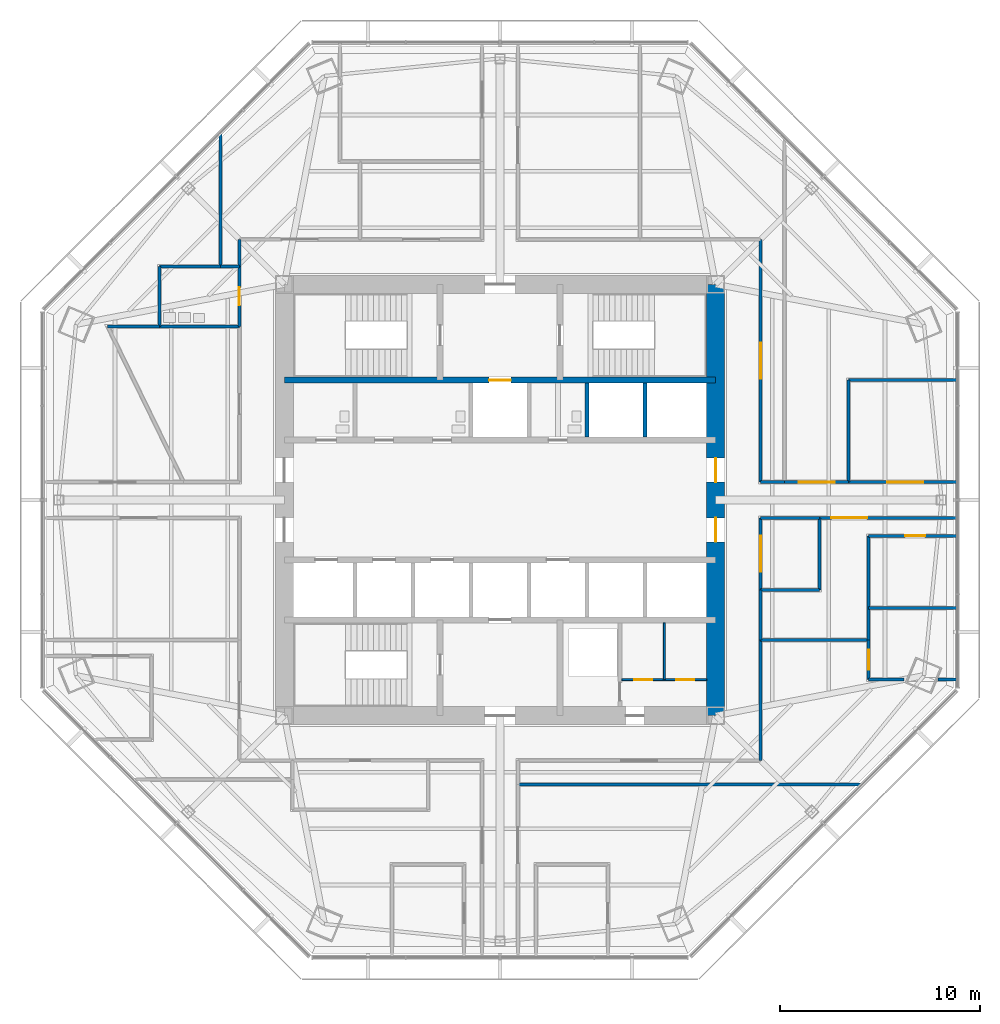
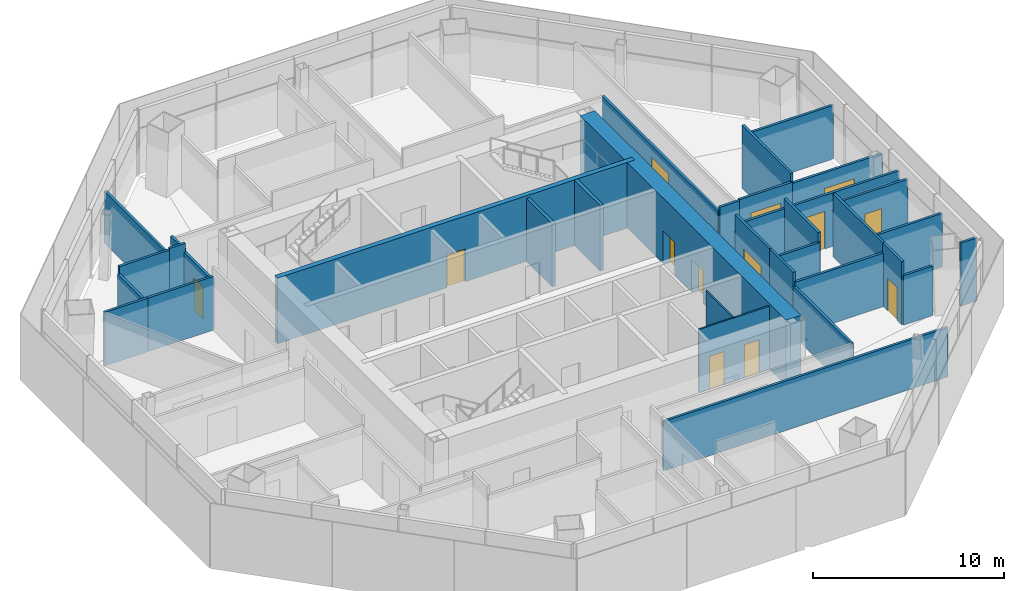
# One storey, part 10 of 14: 35 walls, 13 doors, 13 openings.
"""IFC4 building model written with IfcOpenShell, lengths in metres."""

from ifc_helpers import new_model, si_unit, direction, frame, frame_2d, origin, place, context, subcontext, project, spatial, rectangle, extrude, material, layer, layer_set, type_object, element, fill, save


model = new_model("IFC4")

# Units and contexts
model_context = context("Model", 3, precision=1e-05, world=origin(), true_north=direction((0.0, 1.0)))
body_context = subcontext(model_context, "Body", "Model", "MODEL_VIEW")
ifc_project = project(units=[si_unit("LENGTHUNIT", "METRE"), si_unit("AREAUNIT", "SQUARE_METRE"), si_unit("VOLUMEUNIT", "CUBIC_METRE"), si_unit("PLANEANGLEUNIT", "RADIAN"), si_unit("MASSUNIT", "GRAM", prefix="KILO")], contexts=[model_context])

# Site, building, storey
site_placement = place(None, origin())
site = spatial("IfcSite", under=ifc_project, at=site_placement, CompositionType="ELEMENT")
building_placement = place(site_placement, origin())
building = spatial("IfcBuilding", under=site, at=building_placement, Name="Mashrafa Tower", CompositionType="ELEMENT")
storey_placement = place(building_placement, frame((0.0, 0.0, 180.60009765625)))
storey = spatial("IfcBuildingStorey", under=building, at=storey_placement, Name="L41", CompositionType="ELEMENT", Elevation=180.60009765625)

# Wall, opening, door
ifc_material_1 = material(Name="Concrete C60/75", Category="concrete")
ifc_layer_1 = layer(ifc_material_1, 0.300048828125)
ifc_layer_set_1 = layer_set([ifc_layer_1], Name="Core wall 300 C60/75")
wall_type_1 = type_object("IfcWallType", Name="Core wall 300 C60/75", PredefinedType="SOLIDWALL", material=ifc_layer_set_1)
wall_1_placement = place(storey_placement, frame((-10.800048828125, 6.0, 0.0), z_axis=(0.0, 0.0, 1.0), x_axis=(1.0, 0.0, 0.0)))
wall_1 = element("IfcWall", 1, at=wall_1_placement, inside=storey, type_object=wall_type_1, Name="Core wall CB-N L41", PredefinedType="SOLIDWALL", context=body_context, shape_type="SweptSolid", body=[
    extrude(rectangle(XDim=21.60009765625, YDim=0.300048828125, at=frame_2d((10.800048828125, 0.0))), origin(), (0.0, 0.0, 1.0), 4.199951171875),
])
opening_1_placement = place(wall_1_placement, frame((10.25, 0.0, 0.0)))
opening_1 = element("IfcOpeningElement", 2, at=opening_1_placement, cuts=wall_1, Name="Opening 41.F1", PredefinedType="OPENING", context=body_context, shape_type="SweptSolid", body=[
    extrude(rectangle(XDim=1.10009765625, YDim=2.10009765625, at=frame_2d((0.550048828125, 1.050048828125))), frame((0.0, 0.159912109375, 0.0), z_axis=(0.0, -1.0, 0.0), x_axis=(1.0, 0.0, 0.0)), (0.0, 0.0, 1.0), 0.320068359375),
])
ifc_material_2 = material(Name="Steel door", Category="steel")
door_type_1 = type_object("IfcDoorType", Name="Lift landing door 1100 x 2100 90 min", OperationType="DOUBLE_DOOR_SLIDING", PredefinedType="DOOR", material=ifc_material_2)
door_1_placement = place(opening_1_placement, origin())
door_1 = element("IfcDoor", 3, at=door_1_placement, inside=storey, type_object=door_type_1, Name="Lift landing door F1 L41", OperationType="DOUBLE_DOOR_SLIDING", OverallHeight=2.10009765625, OverallWidth=1.10009765625, PredefinedType="DOOR", context=body_context, shape_type="SweptSolid", body=[
    extrude(rectangle(XDim=1.10009765625, YDim=2.10009765625, at=frame_2d((0.550048828125, 1.050048828125))), frame((0.0, 0.02490234375, 0.0), z_axis=(0.0, -1.0, 0.0), x_axis=(1.0, 0.0, 0.0)), (0.0, 0.0, 1.0), 0.050048828125),
])
fill(opening_1, door_1)

# Wall, openings, doors
ifc_material_3 = material(Name="Concrete C60/75", Category="concrete")
ifc_layer_2 = layer(ifc_material_3, 0.89990234375)
ifc_layer_set_2 = layer_set([ifc_layer_2], Name="Core wall 900 C60/75")
wall_type_2 = type_object("IfcWallType", Name="Core wall 900 C60/75", PredefinedType="SOLIDWALL", material=ifc_layer_set_2)
wall_2_placement = place(storey_placement, frame((10.800048828125, -10.800048828125, 0.0), z_axis=(0.0, 0.0, 1.0), x_axis=(0.0, 1.0, 0.0)))
wall_2 = element("IfcWall", 4, at=wall_2_placement, inside=storey, type_object=wall_type_2, Name="Core wall CW-E L41", PredefinedType="SOLIDWALL", context=body_context, shape_type="SweptSolid", body=[
    extrude(rectangle(XDim=21.60009765625, YDim=0.89990234375, at=frame_2d((10.800048828125, 0.0))), origin(), (0.0, 0.0, 1.0), 4.199951171875),
])
opening_2_placement = place(wall_2_placement, frame((11.699951171875, 0.0, 0.0)))
opening_2 = element("IfcOpeningElement", 5, at=opening_2_placement, cuts=wall_2, Name="Opening 41.024", PredefinedType="OPENING", context=body_context, shape_type="SweptSolid", body=[
    extrude(rectangle(XDim=1.199951171875, YDim=2.10009765625, at=frame_2d((0.60009765625, 1.050048828125))), frame((0.0, 0.4599609375, 0.0), z_axis=(0.0, -1.0, 0.0), x_axis=(1.0, 0.0, 0.0)), (0.0, 0.0, 1.0), 0.919921875),
])
opening_3_placement = place(wall_2_placement, frame((8.699951171875, 0.0, 0.0)))
opening_3 = element("IfcOpeningElement", 6, at=opening_3_placement, cuts=wall_2, Name="Opening 41.026", PredefinedType="OPENING", context=body_context, shape_type="SweptSolid", body=[
    extrude(rectangle(XDim=1.199951171875, YDim=2.10009765625, at=frame_2d((0.60009765625, 1.050048828125))), frame((0.0, 0.4599609375, 0.0), z_axis=(0.0, -1.0, 0.0), x_axis=(1.0, 0.0, 0.0)), (0.0, 0.0, 1.0), 0.919921875),
])
ifc_material_4 = material(Name="Steel door", Category="steel")
door_type_2 = type_object("IfcDoorType", Name="Lift hall door 1200 x 2100 90 min", OperationType="USERDEFINED", PredefinedType="DOOR", material=ifc_material_4)
door_2_placement = place(opening_2_placement, frame((1.199951171875, 0.0, 0.0), z_axis=(0.0, 0.0, 1.0), x_axis=(-1.0, 0.0, 0.0)))
door_2 = element("IfcDoor", 7, at=door_2_placement, inside=storey, type_object=door_type_2, Name="Lift hall door east L41", OperationType="SINGLE_SWING_LEFT", OverallHeight=2.10009765625, OverallWidth=1.199951171875, PredefinedType="DOOR", context=body_context, shape_type="SweptSolid", body=[
    extrude(rectangle(XDim=1.199951171875, YDim=2.10009765625, at=frame_2d((0.60009765625, 1.050048828125))), frame((0.0, 0.02490234375, 0.0), z_axis=(0.0, -1.0, 0.0), x_axis=(1.0, 0.0, 0.0)), (0.0, 0.0, 1.0), 0.050048828125),
])
fill(opening_2, door_2)
door_3_placement = place(opening_3_placement, frame((1.199951171875, 0.0, 0.0), z_axis=(0.0, 0.0, 1.0), x_axis=(-1.0, 0.0, 0.0)))
door_3 = element("IfcDoor", 8, at=door_3_placement, inside=storey, type_object=door_type_2, Name="Lift hall door east L41", OperationType="SINGLE_SWING_LEFT", OverallHeight=2.10009765625, OverallWidth=1.199951171875, PredefinedType="DOOR", context=body_context, shape_type="SweptSolid", body=[
    extrude(rectangle(XDim=1.199951171875, YDim=2.10009765625, at=frame_2d((0.60009765625, 1.050048828125))), frame((0.0, 0.02490234375, 0.0), z_axis=(0.0, -1.0, 0.0), x_axis=(1.0, 0.0, 0.0)), (0.0, 0.0, 1.0), 0.050048828125),
])
fill(opening_3, door_3)

# Wall, opening, door
ifc_material_5 = material(Name="Gypsum board on steel studs", Category="steel")
ifc_layer_3 = layer(ifc_material_5, 0.14990234375)
ifc_layer_set_3 = layer_set([ifc_layer_3], Name="Corridor partition 150 1 hr")
wall_type_3 = type_object("IfcWallType", Name="Corridor partition 150 1 hr", PredefinedType="PARTITIONING", material=ifc_layer_set_3)
wall_3_placement = place(storey_placement, frame((-13.050048828125, 11.700927734375, 0.0), z_axis=(0.0, 0.0, 1.0), x_axis=(0.0, -1.0, 0.0)))
wall_3 = element("IfcWall", 9, at=wall_3_placement, inside=storey, type_object=wall_type_3, Name="Corridor wall L41-003", PredefinedType="PARTITIONING", context=body_context, shape_type="SweptSolid", body=[
    extrude(rectangle(XDim=3.001953125, YDim=0.14990234375, at=frame_2d((1.5009765625, 0.0))), origin(), (0.0, 0.0, 1.0), 3.16650390625),
])
opening_4_placement = place(wall_3_placement, frame((1.051025390625, 0.0, 0.0)))
opening_4 = element("IfcOpeningElement", 10, at=opening_4_placement, cuts=wall_3, Name="Opening 41.002", PredefinedType="OPENING", context=body_context, shape_type="SweptSolid", body=[
    extrude(rectangle(XDim=0.89990234375, YDim=2.10009765625, at=frame_2d((0.449951171875, 1.050048828125))), frame((0.0, 0.0849609375, 0.0), z_axis=(0.0, -1.0, 0.0), x_axis=(1.0, 0.0, 0.0)), (0.0, 0.0, 1.0), 0.169921875),
])
ifc_material_6 = material(Name="Timber door", Category="wood")
door_type_3 = type_object("IfcDoorType", Name="Toilet door 900 x 2100", OperationType="USERDEFINED", PredefinedType="DOOR", material=ifc_material_6)
door_4_placement = place(opening_4_placement, frame((0.89990234375, 0.0, 0.0), z_axis=(0.0, 0.0, 1.0), x_axis=(-1.0, 0.0, 0.0)))
door_4 = element("IfcDoor", 11, at=door_4_placement, inside=storey, type_object=door_type_3, Name="Ablution Room L41 door", OperationType="SINGLE_SWING_RIGHT", OverallHeight=2.10009765625, OverallWidth=0.89990234375, PredefinedType="DOOR", context=body_context, shape_type="SweptSolid", body=[
    extrude(rectangle(XDim=0.89990234375, YDim=2.10009765625, at=frame_2d((0.449951171875, 1.050048828125))), frame((0.0, 0.02490234375, 0.0), z_axis=(0.0, -1.0, 0.0), x_axis=(1.0, 0.0, 0.0)), (0.0, 0.0, 1.0), 0.050048828125),
])
fill(opening_4, door_4)

wall_4_placement = place(storey_placement, frame((22.889892578125, 0.89990234375, 0.0), z_axis=(0.0, 0.0, 1.0), x_axis=(-1.0, 0.0, 0.0)))
wall_4 = element("IfcWall", 12, at=wall_4_placement, inside=storey, type_object=wall_type_3, Name="Corridor wall L41-005", PredefinedType="PARTITIONING", context=body_context, shape_type="SweptSolid", body=[
    extrude(rectangle(XDim=5.43505859375, YDim=0.14990234375, at=frame_2d((2.717529296875, 0.0))), origin(), (0.0, 0.0, 1.0), 3.425537109375),
])
opening_5_placement = place(wall_4_placement, frame((1.699462890625, 0.0, 0.0)))
opening_5 = element("IfcOpeningElement", 13, at=opening_5_placement, cuts=wall_4, Name="Opening 41.004", PredefinedType="OPENING", context=body_context, shape_type="SweptSolid", body=[
    extrude(rectangle(XDim=1.800048828125, YDim=2.39990234375, at=frame_2d((0.89990234375, 1.199951171875))), frame((0.0, 0.0849609375, 0.0), z_axis=(0.0, -1.0, 0.0), x_axis=(1.0, 0.0, 0.0)), (0.0, 0.0, 1.0), 0.169921875),
])
ifc_material_7 = material(Name="Timber door", Category="wood")
door_type_4 = type_object("IfcDoorType", Name="Door pair 1800 x 2400", OperationType="DOUBLE_DOOR_SINGLE_SWING", PredefinedType="DOOR", material=ifc_material_7)
door_5_placement = place(opening_5_placement, frame((1.800048828125, 0.0, 0.0), z_axis=(0.0, 0.0, 1.0), x_axis=(-1.0, 0.0, 0.0)))
door_5 = element("IfcDoor", 14, at=door_5_placement, inside=storey, type_object=door_type_4, Name="Guest Majlis 41 door", OperationType="DOUBLE_DOOR_SINGLE_SWING", OverallHeight=2.39990234375, OverallWidth=1.800048828125, PredefinedType="DOOR", context=body_context, shape_type="SweptSolid", body=[
    extrude(rectangle(XDim=1.800048828125, YDim=2.39990234375, at=frame_2d((0.89990234375, 1.199951171875))), frame((0.0, 0.02490234375, 0.0), z_axis=(0.0, -1.0, 0.0), x_axis=(1.0, 0.0, 0.0)), (0.0, 0.0, 1.0), 0.050048828125),
])
fill(opening_5, door_5)

wall_5_placement = place(storey_placement, frame((13.050048828125, -4.5009765625, 0.0), z_axis=(0.0, 0.0, 1.0), x_axis=(0.0, 1.0, 0.0)))
wall_5 = element("IfcWall", 15, at=wall_5_placement, inside=storey, type_object=wall_type_3, Name="Corridor wall L41-007", PredefinedType="PARTITIONING", context=body_context, shape_type="SweptSolid", body=[
    extrude(rectangle(XDim=3.60107421875, YDim=0.14990234375, at=frame_2d((1.800537109375, 0.0))), origin(), (0.0, 0.0, 1.0), 4.034912109375),
])
opening_6_placement = place(wall_5_placement, frame((0.900390625, 0.0, 0.0)))
opening_6 = element("IfcOpeningElement", 16, at=opening_6_placement, cuts=wall_5, Name="Opening 41.007", PredefinedType="OPENING", context=body_context, shape_type="SweptSolid", body=[
    extrude(rectangle(XDim=1.800048828125, YDim=2.39990234375, at=frame_2d((0.89990234375, 1.199951171875))), frame((0.0, 0.0849609375, 0.0), z_axis=(0.0, -1.0, 0.0), x_axis=(1.0, 0.0, 0.0)), (0.0, 0.0, 1.0), 0.169921875),
])
ifc_material_8 = material(Name="Steel door", Category="steel")
door_type_5 = type_object("IfcDoorType", Name="Door pair 1800 x 2400 90 min", OperationType="DOUBLE_DOOR_SINGLE_SWING", PredefinedType="DOOR", material=ifc_material_8)
door_6_placement = place(opening_6_placement, origin())
door_6 = element("IfcDoor", 17, at=door_6_placement, inside=storey, type_object=door_type_5, Name="Executive Reception 41 door", OperationType="DOUBLE_DOOR_SINGLE_SWING", OverallHeight=2.39990234375, OverallWidth=1.800048828125, PredefinedType="DOOR", context=body_context, shape_type="SweptSolid", body=[
    extrude(rectangle(XDim=1.800048828125, YDim=2.39990234375, at=frame_2d((0.89990234375, 1.199951171875))), frame((0.0, 0.02490234375, 0.0), z_axis=(0.0, -1.0, 0.0), x_axis=(1.0, 0.0, 0.0)), (0.0, 0.0, 1.0), 0.050048828125),
])
fill(opening_6, door_6)

# Wall
wall_6_placement = place(storey_placement, frame((13.050048828125, -0.89990234375, 0.0), z_axis=(0.0, 0.0, 1.0), x_axis=(1.0, 0.0, 0.0)))
element("IfcWall", 18, at=wall_6_placement, inside=storey, type_object=wall_type_3, Name="Corridor wall L41-008", PredefinedType="PARTITIONING", context=body_context, shape_type="SweptSolid", body=[
    extrude(rectangle(XDim=2.950927734375, YDim=0.14990234375, at=frame_2d((1.4755859375, 0.0))), origin(), (0.0, 0.0, 1.0), 3.425537109375),
])

# Wall, opening, door
wall_7_placement = place(storey_placement, frame((17.456787109375, 0.89990234375, 0.0), z_axis=(0.0, 0.0, 1.0), x_axis=(-1.0, 0.0, 0.0)))
wall_7 = element("IfcWall", 19, at=wall_7_placement, inside=storey, type_object=wall_type_3, Name="Corridor wall L41-009", PredefinedType="PARTITIONING", context=body_context, shape_type="SweptSolid", body=[
    extrude(rectangle(XDim=3.207763671875, YDim=0.14990234375, at=frame_2d((1.60400390625, 0.0))), origin(), (0.0, 0.0, 1.0), 3.4990234375),
])
opening_7_placement = place(wall_7_placement, frame((0.703857421875, 0.0, 0.0)))
opening_7 = element("IfcOpeningElement", 20, at=opening_7_placement, cuts=wall_7, Name="Opening 41.012", PredefinedType="OPENING", context=body_context, shape_type="SweptSolid", body=[
    extrude(rectangle(XDim=1.800048828125, YDim=2.39990234375, at=frame_2d((0.89990234375, 1.199951171875))), frame((0.0, 0.0849609375, 0.0), z_axis=(0.0, -1.0, 0.0), x_axis=(1.0, 0.0, 0.0)), (0.0, 0.0, 1.0), 0.169921875),
])
door_7_placement = place(opening_7_placement, frame((1.800048828125, 0.0, 0.0), z_axis=(0.0, 0.0, 1.0), x_axis=(-1.0, 0.0, 0.0)))
door_7 = element("IfcDoor", 21, at=door_7_placement, inside=storey, type_object=door_type_4, Name="Board Secretariat Office 41-NE3 door", OperationType="DOUBLE_DOOR_SINGLE_SWING", OverallHeight=2.39990234375, OverallWidth=1.800048828125, PredefinedType="DOOR", context=body_context, shape_type="SweptSolid", body=[
    extrude(rectangle(XDim=1.800048828125, YDim=2.39990234375, at=frame_2d((0.89990234375, 1.199951171875))), frame((0.0, 0.02490234375, 0.0), z_axis=(0.0, -1.0, 0.0), x_axis=(1.0, 0.0, 0.0)), (0.0, 0.0, 1.0), 0.050048828125),
])
fill(opening_7, door_7)

# Wall
wall_8_placement = place(storey_placement, frame((14.2509765625, 0.89990234375, 0.0), z_axis=(0.0, 0.0, 1.0), x_axis=(-1.0, 0.0, 0.0)))
element("IfcWall", 22, at=wall_8_placement, inside=storey, type_object=wall_type_3, Name="Corridor wall L41-010", PredefinedType="PARTITIONING", context=body_context, shape_type="SweptSolid", body=[
    extrude(rectangle(XDim=1.200927734375, YDim=0.14990234375, at=frame_2d((0.6005859375, 0.0))), origin(), (0.0, 0.0, 1.0), 3.425537109375),
])

# Wall, opening, door
wall_9_placement = place(storey_placement, frame((13.050048828125, 0.89990234375, 0.0), z_axis=(0.0, 0.0, 1.0), x_axis=(0.0, 1.0, 0.0)))
wall_9 = element("IfcWall", 23, at=wall_9_placement, inside=storey, type_object=wall_type_3, Name="Corridor wall L41-011", PredefinedType="PARTITIONING", context=body_context, shape_type="SweptSolid", body=[
    extrude(rectangle(XDim=12.150146484375, YDim=0.14990234375, at=frame_2d((6.0751953125, 0.0))), origin(), (0.0, 0.0, 1.0), 3.16650390625),
])
opening_8_placement = place(wall_9_placement, frame((5.175048828125, 0.0, 0.0)))
opening_8 = element("IfcOpeningElement", 24, at=opening_8_placement, cuts=wall_9, Name="Opening 41.013", PredefinedType="OPENING", context=body_context, shape_type="SweptSolid", body=[
    extrude(rectangle(XDim=1.800048828125, YDim=2.39990234375, at=frame_2d((0.89990234375, 1.199951171875))), frame((0.0, 0.0849609375, 0.0), z_axis=(0.0, -1.0, 0.0), x_axis=(1.0, 0.0, 0.0)), (0.0, 0.0, 1.0), 0.169921875),
])
door_8_placement = place(opening_8_placement, frame((1.800048828125, 0.0, 0.0), z_axis=(0.0, 0.0, 1.0), x_axis=(-1.0, 0.0, 0.0)))
door_8 = element("IfcDoor", 25, at=door_8_placement, inside=storey, type_object=door_type_4, Name="Corporate Affairs Office 41-NE2 door", OperationType="DOUBLE_DOOR_SINGLE_SWING", OverallHeight=2.39990234375, OverallWidth=1.800048828125, PredefinedType="DOOR", context=body_context, shape_type="SweptSolid", body=[
    extrude(rectangle(XDim=1.800048828125, YDim=2.39990234375, at=frame_2d((0.89990234375, 1.199951171875))), frame((0.0, 0.02490234375, 0.0), z_axis=(0.0, -1.0, 0.0), x_axis=(1.0, 0.0, 0.0)), (0.0, 0.0, 1.0), 0.050048828125),
])
fill(opening_8, door_8)

# Walls
wall_10_placement = place(storey_placement, frame((-13.050048828125, 13.050048828125, 0.0), z_axis=(0.0, 0.0, 1.0), x_axis=(0.0, -1.0, 0.0)))
element("IfcWall", 26, at=wall_10_placement, inside=storey, type_object=wall_type_3, Name="Corridor wall L41-017", PredefinedType="PARTITIONING", context=body_context, shape_type="SweptSolid", body=[
    extrude(rectangle(XDim=1.35107421875, YDim=0.14990234375, at=frame_2d((0.675537109375, 0.0))), origin(), (0.0, 0.0, 1.0), 3.341552734375),
])
wall_11_placement = place(storey_placement, frame((13.050048828125, -13.050048828125, 0.0), z_axis=(0.0, 0.0, 1.0), x_axis=(0.0, 1.0, 0.0)))
element("IfcWall", 27, at=wall_11_placement, inside=storey, type_object=wall_type_3, Name="Corridor wall L41-029", PredefinedType="PARTITIONING", context=body_context, shape_type="SweptSolid", body=[
    extrude(rectangle(XDim=6.051025390625, YDim=0.14990234375, at=frame_2d((3.025390625, 0.0))), origin(), (0.0, 0.0, 1.0), 3.16650390625),
])
wall_12_placement = place(storey_placement, frame((13.050048828125, -7.0009765625, 0.0), z_axis=(0.0, 0.0, 1.0), x_axis=(0.0, 1.0, 0.0)))
element("IfcWall", 28, at=wall_12_placement, inside=storey, type_object=wall_type_3, Name="Corridor wall L41-030", PredefinedType="PARTITIONING", context=body_context, shape_type="SweptSolid", body=[
    extrude(rectangle(XDim=2.501953125, YDim=0.14990234375, at=frame_2d((1.2509765625, 0.0))), origin(), (0.0, 0.0, 1.0), 4.034912109375),
])

# Wall, opening, door
wall_13_placement = place(storey_placement, frame((15.9990234375, -0.89990234375, 0.0), z_axis=(0.0, 0.0, 1.0), x_axis=(1.0, 0.0, 0.0)))
wall_13 = element("IfcWall", 29, at=wall_13_placement, inside=storey, type_object=wall_type_3, Name="Corridor wall L41-031", PredefinedType="PARTITIONING", context=body_context, shape_type="SweptSolid", body=[
    extrude(rectangle(XDim=6.890869140625, YDim=0.14990234375, at=frame_2d((3.4453125, 0.0))), origin(), (0.0, 0.0, 1.0), 3.425537109375),
])
opening_9_placement = place(wall_13_placement, frame((0.58837890625, 0.0, 0.0)))
opening_9 = element("IfcOpeningElement", 30, at=opening_9_placement, cuts=wall_13, Name="Opening 41.023", PredefinedType="OPENING", context=body_context, shape_type="SweptSolid", body=[
    extrude(rectangle(XDim=1.800048828125, YDim=2.39990234375, at=frame_2d((0.89990234375, 1.199951171875))), frame((0.0, 0.0849609375, 0.0), z_axis=(0.0, -1.0, 0.0), x_axis=(1.0, 0.0, 0.0)), (0.0, 0.0, 1.0), 0.169921875),
])
door_9_placement = place(opening_9_placement, frame((1.800048828125, 0.0, 0.0), z_axis=(0.0, 0.0, 1.0), x_axis=(-1.0, 0.0, 0.0)))
door_9 = element("IfcDoor", 31, at=door_9_placement, inside=storey, type_object=door_type_4, Name="General Counsel's Office 41-SE1 door", OperationType="DOUBLE_DOOR_SINGLE_SWING", OverallHeight=2.39990234375, OverallWidth=1.800048828125, PredefinedType="DOOR", context=body_context, shape_type="SweptSolid", body=[
    extrude(rectangle(XDim=1.800048828125, YDim=2.39990234375, at=frame_2d((0.89990234375, 1.199951171875))), frame((0.0, 0.02490234375, 0.0), z_axis=(0.0, -1.0, 0.0), x_axis=(1.0, 0.0, 0.0)), (0.0, 0.0, 1.0), 0.050048828125),
])
fill(opening_9, door_9)

# Walls
wall_14_placement = place(storey_placement, frame((13.050048828125, -4.5, 0.0), z_axis=(0.0, 0.0, 1.0), x_axis=(1.0, 0.0, 0.0)))
element("IfcWall", 32, at=wall_14_placement, inside=storey, type_object=wall_type_3, Name="Corridor wall L41-051", PredefinedType="PARTITIONING", context=body_context, shape_type="SweptSolid", body=[
    extrude(rectangle(XDim=2.949951171875, YDim=0.14990234375, at=frame_2d((1.47509765625, 0.0))), origin(), (0.0, 0.0, 1.0), 3.425537109375),
])
wall_15_placement = place(storey_placement, frame((16.0, -4.5, 0.0), z_axis=(0.0, 0.0, 1.0), x_axis=(0.0, 1.0, 0.0)))
element("IfcWall", 33, at=wall_15_placement, inside=storey, type_object=wall_type_3, Name="Corridor wall L41-052", PredefinedType="PARTITIONING", context=body_context, shape_type="SweptSolid", body=[
    extrude(rectangle(XDim=3.60009765625, YDim=0.14990234375, at=frame_2d((1.800048828125, 0.0))), origin(), (0.0, 0.0, 1.0), 4.034912109375),
])

# Wall, openings, doors
ifc_material_9 = material(Name="Gypsum board on steel studs", Category="steel")
ifc_layer_4 = layer(ifc_material_9, 0.10009765625)
ifc_layer_set_4 = layer_set([ifc_layer_4], Name="Partition 100 1 hr")
wall_type_4 = type_object("IfcWallType", Name="Partition 100 1 hr", PredefinedType="PARTITIONING", material=ifc_layer_set_4)
wall_16_placement = place(storey_placement, frame((6.10009765625, -9.0, 0.0), z_axis=(0.0, 0.0, 1.0), x_axis=(1.0, 0.0, 0.0)))
wall_16 = element("IfcWall", 34, at=wall_16_placement, inside=storey, type_object=wall_type_4, Name="Services lobby partition A L41", PredefinedType="PARTITIONING", context=body_context, shape_type="SweptSolid", body=[
    extrude(rectangle(XDim=4.25, YDim=0.10009765625, at=frame_2d((2.125, 0.0))), origin(), (0.0, 0.0, 1.0), 4.034912109375),
])
opening_10_placement = place(wall_16_placement, frame((0.612548828125, 0.0, 0.0)))
opening_10 = element("IfcOpeningElement", 35, at=opening_10_placement, cuts=wall_16, Name="Opening 41.035", PredefinedType="OPENING", context=body_context, shape_type="SweptSolid", body=[
    extrude(rectangle(XDim=0.89990234375, YDim=2.10009765625, at=frame_2d((0.449951171875, 1.050048828125))), frame((0.0, 0.06005859375, 0.0), z_axis=(0.0, -1.0, 0.0), x_axis=(1.0, 0.0, 0.0)), (0.0, 0.0, 1.0), 0.1201171875),
])
opening_11_placement = place(wall_16_placement, frame((2.737548828125, 0.0, 0.0)))
opening_11 = element("IfcOpeningElement", 36, at=opening_11_placement, cuts=wall_16, Name="Opening 41.036", PredefinedType="OPENING", context=body_context, shape_type="SweptSolid", body=[
    extrude(rectangle(XDim=0.89990234375, YDim=2.10009765625, at=frame_2d((0.449951171875, 1.050048828125))), frame((0.0, 0.06005859375, 0.0), z_axis=(0.0, -1.0, 0.0), x_axis=(1.0, 0.0, 0.0)), (0.0, 0.0, 1.0), 0.1201171875),
])
ifc_material_10 = material(Name="Timber door", Category="wood")
door_type_6 = type_object("IfcDoorType", Name="Store door 900 x 2100", OperationType="USERDEFINED", PredefinedType="DOOR", material=ifc_material_10)
door_10_placement = place(opening_10_placement, origin())
door_10 = element("IfcDoor", 37, at=door_10_placement, inside=storey, type_object=door_type_6, Name="Tenant Store L41 door", OperationType="SINGLE_SWING_RIGHT", OverallHeight=2.10009765625, OverallWidth=0.89990234375, PredefinedType="DOOR", context=body_context, shape_type="SweptSolid", body=[
    extrude(rectangle(XDim=0.89990234375, YDim=2.10009765625, at=frame_2d((0.449951171875, 1.050048828125))), frame((0.0, 0.02490234375, 0.0), z_axis=(0.0, -1.0, 0.0), x_axis=(1.0, 0.0, 0.0)), (0.0, 0.0, 1.0), 0.050048828125),
])
fill(opening_10, door_10)
door_11_placement = place(opening_11_placement, origin())
door_11 = element("IfcDoor", 38, at=door_11_placement, inside=storey, type_object=door_type_6, Name="Cleaner's Store L41 door", OperationType="SINGLE_SWING_LEFT", OverallHeight=2.10009765625, OverallWidth=0.89990234375, PredefinedType="DOOR", context=body_context, shape_type="SweptSolid", body=[
    extrude(rectangle(XDim=0.89990234375, YDim=2.10009765625, at=frame_2d((0.449951171875, 1.050048828125))), frame((0.0, 0.02490234375, 0.0), z_axis=(0.0, -1.0, 0.0), x_axis=(1.0, 0.0, 0.0)), (0.0, 0.0, 1.0), 0.050048828125),
])
fill(opening_11, door_11)

# Walls
wall_17_placement = place(storey_placement, frame((8.22509765625, -9.0, 0.0), z_axis=(0.0, 0.0, 1.0), x_axis=(0.0, 1.0, 0.0)))
element("IfcWall", 39, at=wall_17_placement, inside=storey, type_object=wall_type_4, Name="Services lobby partition B L41", PredefinedType="PARTITIONING", context=body_context, shape_type="SweptSolid", body=[
    extrude(rectangle(XDim=2.85009765625, YDim=0.10009765625, at=frame_2d((1.425048828125, 0.0))), origin(), (0.0, 0.0, 1.0), 4.034912109375),
])
ifc_material_11 = material(Name="Gypsum board on steel studs", Category="steel")
ifc_layer_5 = layer(ifc_material_11, 0.14990234375)
ifc_layer_set_5 = layer_set([ifc_layer_5], Name="Partition 150")
wall_type_5 = type_object("IfcWallType", Name="Partition 150", PredefinedType="PARTITIONING", material=ifc_layer_set_5)
wall_18_placement = place(storey_placement, frame((-13.050048828125, 8.699951171875, 0.0), z_axis=(0.0, 0.0, 1.0), x_axis=(-1.0, 0.0, 0.0)))
element("IfcWall", 40, at=wall_18_placement, inside=storey, type_object=wall_type_5, Name="Partition wall L41-032", PredefinedType="PARTITIONING", context=body_context, shape_type="SweptSolid", body=[
    extrude(rectangle(XDim=4.0009765625, YDim=0.14990234375, at=frame_2d((2.00048828125, 0.0))), origin(), (0.0, 0.0, 1.0), 3.425537109375),
])
wall_19_placement = place(storey_placement, frame((-17.049072265625, 8.699951171875, 0.0), z_axis=(0.0, 0.0, 1.0), x_axis=(-1.0, 0.0, 0.0)))
element("IfcWall", 41, at=wall_19_placement, inside=storey, type_object=wall_type_5, Name="Partition wall L41-033", PredefinedType="PARTITIONING", context=body_context, shape_type="SweptSolid", body=[
    extrude(rectangle(XDim=2.600830078125, YDim=0.14990234375, at=frame_2d((1.30029296875, 0.0))), origin(), (0.0, 0.0, 1.0), 3.425537109375),
])
wall_20_placement = place(storey_placement, frame((-13.9990234375, 11.699951171875, 0.0), z_axis=(0.0, 0.0, 1.0), x_axis=(-1.0, 0.0, 0.0)))
element("IfcWall", 42, at=wall_20_placement, inside=storey, type_object=wall_type_5, Name="Partition wall L41-035", PredefinedType="PARTITIONING", context=body_context, shape_type="SweptSolid", body=[
    extrude(rectangle(XDim=3.051025390625, YDim=0.14990234375, at=frame_2d((1.525390625, 0.0))), origin(), (0.0, 0.0, 1.0), 3.618408203125),
])
wall_21_placement = place(storey_placement, frame((-17.050048828125, 11.699951171875, 0.0), z_axis=(0.0, 0.0, 1.0), x_axis=(0.0, -1.0, 0.0)))
element("IfcWall", 43, at=wall_21_placement, inside=storey, type_object=wall_type_5, Name="Partition wall L41-036", PredefinedType="PARTITIONING", context=body_context, shape_type="SweptSolid", body=[
    extrude(rectangle(XDim=3.0, YDim=0.14990234375, at=frame_2d((1.5, 0.0))), origin(), (0.0, 0.0, 1.0), 3.16650390625),
])
wall_22_placement = place(storey_placement, frame((-13.050048828125, 11.699951171875, 0.0), z_axis=(0.0, 0.0, 1.0), x_axis=(-1.0, 0.0, 0.0)))
element("IfcWall", 44, at=wall_22_placement, inside=storey, type_object=wall_type_5, Name="Partition wall L41-037", PredefinedType="PARTITIONING", context=body_context, shape_type="SweptSolid", body=[
    extrude(rectangle(XDim=0.950927734375, YDim=0.14990234375, at=frame_2d((0.4755859375, 0.0))), origin(), (0.0, 0.0, 1.0), 3.715087890625),
])
wall_23_placement = place(storey_placement, frame((22.8876953125, 6.0, 0.0), z_axis=(0.0, 0.0, 1.0), x_axis=(-1.0, 0.0, 0.0)))
element("IfcWall", 45, at=wall_23_placement, inside=storey, type_object=wall_type_5, Name="Partition wall L41-042", PredefinedType="PARTITIONING", context=body_context, shape_type="SweptSolid", body=[
    extrude(rectangle(XDim=5.431884765625, YDim=0.14990234375, at=frame_2d((2.7158203125, 0.0))), origin(), (0.0, 0.0, 1.0), 3.425537109375),
])
wall_24_placement = place(storey_placement, frame((17.455810546875, 6.0, 0.0), z_axis=(0.0, 0.0, 1.0), x_axis=(0.0, -1.0, 0.0)))
element("IfcWall", 46, at=wall_24_placement, inside=storey, type_object=wall_type_5, Name="Partition wall L41-043", PredefinedType="PARTITIONING", context=body_context, shape_type="SweptSolid", body=[
    extrude(rectangle(XDim=5.10009765625, YDim=0.14990234375, at=frame_2d((2.550048828125, 0.0))), origin(), (0.0, 0.0, 1.0), 4.034912109375),
])
wall_25_placement = place(storey_placement, frame((22.8876953125, -5.39990234375, 0.0), z_axis=(0.0, 0.0, 1.0), x_axis=(-1.0, 0.0, 0.0)))
element("IfcWall", 47, at=wall_25_placement, inside=storey, type_object=wall_type_5, Name="Partition wall L41-053", PredefinedType="PARTITIONING", context=body_context, shape_type="SweptSolid", body=[
    extrude(rectangle(XDim=4.431884765625, YDim=0.14990234375, at=frame_2d((2.2158203125, 0.0))), origin(), (0.0, 0.0, 1.0), 3.425537109375),
])

# Wall, opening, door
wall_26_placement = place(storey_placement, frame((18.455810546875, -6.9990234375, 0.0), z_axis=(0.0, 0.0, 1.0), x_axis=(0.0, -1.0, 0.0)))
wall_26 = element("IfcWall", 48, at=wall_26_placement, inside=storey, type_object=wall_type_5, Name="Partition wall L41-054", PredefinedType="PARTITIONING", context=body_context, shape_type="SweptSolid", body=[
    extrude(rectangle(XDim=2.0009765625, YDim=0.14990234375, at=frame_2d((1.00048828125, 0.0))), origin(), (0.0, 0.0, 1.0), 4.034912109375),
])
opening_12_placement = place(wall_26_placement, frame((0.50048828125, 0.0, 0.0)))
opening_12 = element("IfcOpeningElement", 49, at=opening_12_placement, cuts=wall_26, Name="Opening 41.008", PredefinedType="OPENING", context=body_context, shape_type="SweptSolid", body=[
    extrude(rectangle(XDim=1.0, YDim=2.10009765625, at=frame_2d((0.5, 1.050048828125))), frame((0.0, 0.0849609375, 0.0), z_axis=(0.0, -1.0, 0.0), x_axis=(1.0, 0.0, 0.0)), (0.0, 0.0, 1.0), 0.169921875),
])
ifc_material_12 = material(Name="Timber door", Category="wood")
door_type_7 = type_object("IfcDoorType", Name="Door 1000 x 2100", OperationType="USERDEFINED", PredefinedType="DOOR", material=ifc_material_12)
door_12_placement = place(opening_12_placement, origin())
door_12 = element("IfcDoor", 50, at=door_12_placement, inside=storey, type_object=door_type_7, Name="Executive Office 41-SE2 door", OperationType="SINGLE_SWING_RIGHT", OverallHeight=2.10009765625, OverallWidth=1.0, PredefinedType="DOOR", context=body_context, shape_type="SweptSolid", body=[
    extrude(rectangle(XDim=1.0, YDim=2.10009765625, at=frame_2d((0.5, 1.050048828125))), frame((0.0, 0.02490234375, 0.0), z_axis=(0.0, -1.0, 0.0), x_axis=(1.0, 0.0, 0.0)), (0.0, 0.0, 1.0), 0.050048828125),
])
fill(opening_12, door_12)

# Walls
wall_27_placement = place(storey_placement, frame((18.455810546875, -9.0, 0.0), z_axis=(0.0, 0.0, 1.0), x_axis=(1.0, 0.0, 0.0)))
element("IfcWall", 51, at=wall_27_placement, inside=storey, type_object=wall_type_5, Name="Partition wall L41-055", PredefinedType="PARTITIONING", context=body_context, shape_type="SweptSolid", body=[
    extrude(rectangle(XDim=1.768310546875, YDim=0.14990234375, at=frame_2d((0.88427734375, 0.0))), origin(), (0.0, 0.0, 1.0), 3.16650390625),
])
wall_28_placement = place(storey_placement, frame((21.92041015625, -9.0, 0.0), z_axis=(0.0, 0.0, 1.0), x_axis=(1.0, 0.0, 0.0)))
element("IfcWall", 52, at=wall_28_placement, inside=storey, type_object=wall_type_5, Name="Partition wall L41-056", PredefinedType="PARTITIONING", context=body_context, shape_type="SweptSolid", body=[
    extrude(rectangle(XDim=0.96728515625, YDim=0.14990234375, at=frame_2d((0.483642578125, 0.0))), origin(), (0.0, 0.0, 1.0), 4.034912109375),
])
wall_29_placement = place(storey_placement, frame((18.455810546875, -7.0009765625, 0.0), z_axis=(0.0, 0.0, 1.0), x_axis=(0.0, 1.0, 0.0)))
element("IfcWall", 53, at=wall_29_placement, inside=storey, type_object=wall_type_5, Name="Partition wall L41-057", PredefinedType="PARTITIONING", context=body_context, shape_type="SweptSolid", body=[
    extrude(rectangle(XDim=5.200927734375, YDim=0.14990234375, at=frame_2d((2.6005859375, 0.0))), origin(), (0.0, 0.0, 1.0), 4.034912109375),
])

# Wall, opening, door
wall_30_placement = place(storey_placement, frame((22.889892578125, -1.800048828125, 0.0), z_axis=(0.0, 0.0, 1.0), x_axis=(-1.0, 0.0, 0.0)))
wall_30 = element("IfcWall", 54, at=wall_30_placement, inside=storey, type_object=wall_type_5, Name="Partition wall L41-058", PredefinedType="PARTITIONING", context=body_context, shape_type="SweptSolid", body=[
    extrude(rectangle(XDim=4.43408203125, YDim=0.14990234375, at=frame_2d((2.217041015625, 0.0))), origin(), (0.0, 0.0, 1.0), 3.425537109375),
])
opening_13_placement = place(wall_30_placement, frame((1.59912109375, 0.0, 0.0)))
opening_13 = element("IfcOpeningElement", 55, at=opening_13_placement, cuts=wall_30, Name="Opening 41.009", PredefinedType="OPENING", context=body_context, shape_type="SweptSolid", body=[
    extrude(rectangle(XDim=1.0, YDim=2.10009765625, at=frame_2d((0.5, 1.050048828125))), frame((0.0, 0.0849609375, 0.0), z_axis=(0.0, -1.0, 0.0), x_axis=(1.0, 0.0, 0.0)), (0.0, 0.0, 1.0), 0.169921875),
])
door_13_placement = place(opening_13_placement, origin())
door_13 = element("IfcDoor", 56, at=door_13_placement, inside=storey, type_object=door_type_7, Name="Executive Office 41-SE1 door", OperationType="SINGLE_SWING_LEFT", OverallHeight=2.10009765625, OverallWidth=1.0, PredefinedType="DOOR", context=body_context, shape_type="SweptSolid", body=[
    extrude(rectangle(XDim=1.0, YDim=2.10009765625, at=frame_2d((0.5, 1.050048828125))), frame((0.0, 0.02490234375, 0.0), z_axis=(0.0, -1.0, 0.0), x_axis=(1.0, 0.0, 0.0)), (0.0, 0.0, 1.0), 0.050048828125),
])
fill(opening_13, door_13)

# Walls
wall_31_placement = place(storey_placement, frame((-14.0, 11.699951171875, 0.0), z_axis=(0.0, 0.0, 1.0), x_axis=(0.0, 1.0, 0.0)))
element("IfcWall", 57, at=wall_31_placement, inside=storey, type_object=wall_type_5, Name="Partition wall L41-068", PredefinedType="PARTITIONING", context=body_context, shape_type="SweptSolid", body=[
    extrude(rectangle(XDim=6.669921875, YDim=0.14990234375, at=frame_2d((3.3349609375, 0.0))), origin(), (0.0, 0.0, 1.0), 3.341552734375),
])
wall_32_placement = place(storey_placement, frame((18.119873046875, -14.25, 0.0), z_axis=(0.0, 0.0, 1.0), x_axis=(-1.0, 0.0, 0.0)))
element("IfcWall", 58, at=wall_32_placement, inside=storey, type_object=wall_type_5, Name="Partition wall L41-072", PredefinedType="PARTITIONING", context=body_context, shape_type="SweptSolid", body=[
    extrude(rectangle(XDim=17.219970703125, YDim=0.14990234375, at=frame_2d((8.60986328125, 0.0))), origin(), (0.0, 0.0, 1.0), 3.16650390625),
])
wall_33_placement = place(storey_placement, frame((18.455810546875, -7.0, 0.0), z_axis=(0.0, 0.0, 1.0), x_axis=(-1.0, 0.0, 0.0)))
element("IfcWall", 59, at=wall_33_placement, inside=storey, type_object=wall_type_5, Name="Partition wall L41-073", PredefinedType="PARTITIONING", context=body_context, shape_type="SweptSolid", body=[
    extrude(rectangle(XDim=5.40576171875, YDim=0.14990234375, at=frame_2d((2.702880859375, 0.0))), origin(), (0.0, 0.0, 1.0), 3.425537109375),
])
ifc_material_13 = material(Name="Gypsum shaft wall on steel studs", Category="steel")
ifc_layer_6 = layer(ifc_material_13, 0.199951171875)
ifc_layer_set_6 = layer_set([ifc_layer_6], Name="Shaft divider wall 200 2 hr")
wall_type_6 = type_object("IfcWallType", Name="Shaft divider wall 200 2 hr", PredefinedType="PARTITIONING", material=ifc_layer_set_6)
wall_34_placement = place(storey_placement, frame((4.35009765625, 3.14990234375, 0.0), z_axis=(0.0, 0.0, 1.0), x_axis=(0.0, 1.0, 0.0)))
element("IfcWall", 60, at=wall_34_placement, inside=storey, type_object=wall_type_6, Name="Shaft divider wall N5 L41", PredefinedType="PARTITIONING", context=body_context, shape_type="SweptSolid", body=[
    extrude(rectangle(XDim=2.7001953125, YDim=0.199951171875, at=frame_2d((1.35009765625, 0.0))), origin(), (0.0, 0.0, 1.0), 4.034912109375),
])
wall_35_placement = place(storey_placement, frame((7.25, 3.14990234375, 0.0), z_axis=(0.0, 0.0, 1.0), x_axis=(0.0, 1.0, 0.0)))
element("IfcWall", 61, at=wall_35_placement, inside=storey, type_object=wall_type_6, Name="Shaft divider wall N6 L41", PredefinedType="PARTITIONING", context=body_context, shape_type="SweptSolid", body=[
    extrude(rectangle(XDim=2.7001953125, YDim=0.199951171875, at=frame_2d((1.35009765625, 0.0))), origin(), (0.0, 0.0, 1.0), 4.199951171875),
])

save(model, "model.ifc")
